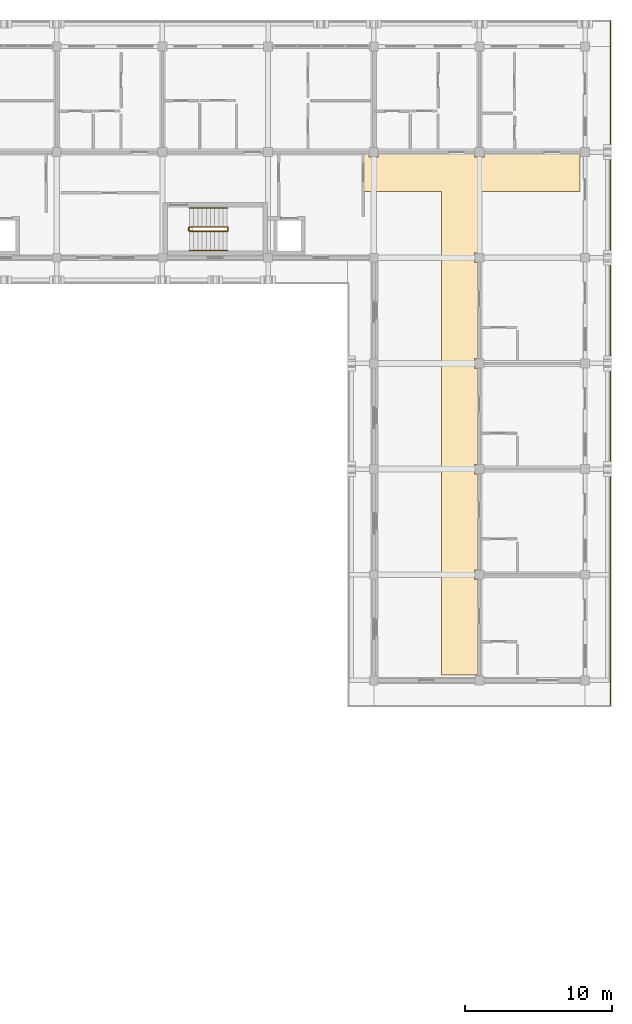
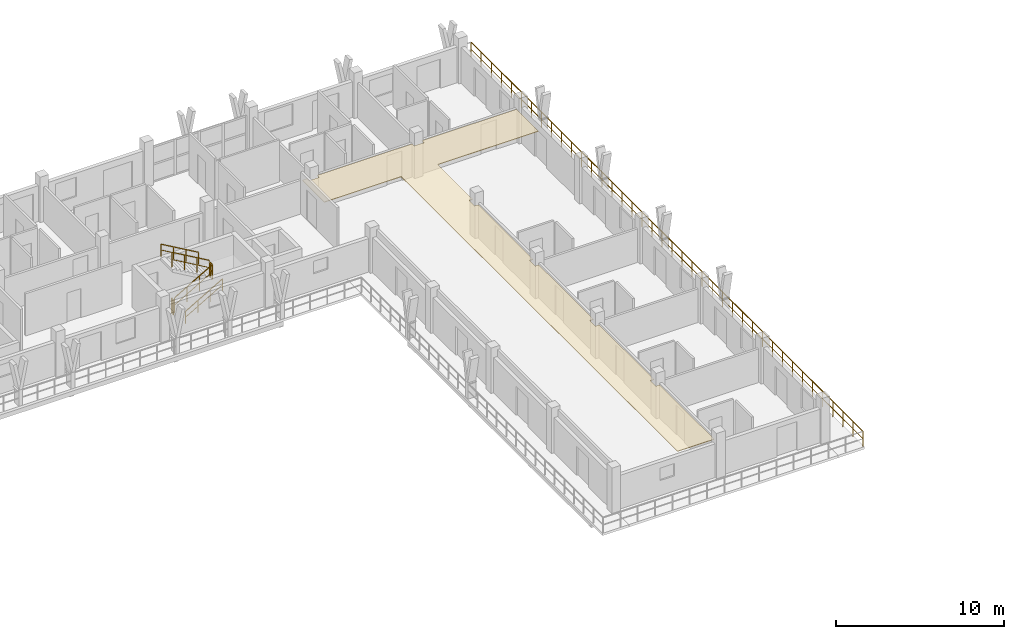
# One storey, part 75 of 75: 7 railings, 1 covering.
"""IFC4 building model written with IfcOpenShell, lengths in metres."""

from ifc_helpers import new_model, si_unit, direction, frame, origin, origin_2d, place, context, subcontext, project, spatial, polyline, rectangle, outline, extrude, material, layer, layer_set, type_object, element, save


model = new_model("IFC4")

# Units and contexts
model_context = context("Model", 3, precision=1e-05, world=origin(), true_north=direction((0.0, 1.0)))
body_context = subcontext(model_context, "Body", "Model", "MODEL_VIEW")
ifc_project = project(units=[si_unit("LENGTHUNIT", "METRE"), si_unit("AREAUNIT", "SQUARE_METRE"), si_unit("VOLUMEUNIT", "CUBIC_METRE"), si_unit("PLANEANGLEUNIT", "RADIAN"), si_unit("MASSUNIT", "GRAM", prefix="KILO")], contexts=[model_context])

# Site, building, storey
site_placement = place(None, origin())
site = spatial("IfcSite", under=ifc_project, at=site_placement, CompositionType="ELEMENT")
building_placement = place(site_placement, origin())
building = spatial("IfcBuilding", under=site, at=building_placement, Name="Suanplinth Sawtooth Commons", CompositionType="ELEMENT")
storey_placement = place(building_placement, frame((0.0, 0.0, 18.60009765625)))
storey = spatial("IfcBuildingStorey", under=building, at=storey_placement, Name="L05", CompositionType="ELEMENT", Elevation=18.60009765625)

# Covering
ifc_material_1 = material(Name="Mineral fibre acoustic tile")
ifc_layer = layer(ifc_material_1, 0.0400390625, Name="Perforated mineral-fibre acoustic suspended ceiling")
ifc_layer_set = layer_set([ifc_layer], Name="Mineral fibre acoustic tile")
covering_type = type_object("IfcCoveringType", Name="CV-CE01", PredefinedType="CEILING", material=ifc_layer_set)
covering_placement = place(storey_placement, frame((0.0, 0.0, 2.3798828125)))
element("IfcCovering", 1, at=covering_placement, inside=storey, type_object=covering_type, Name="L05 Block B Corridor Acoustic Ceiling", PredefinedType="CEILING", context=body_context, shape_type="SweptSolid", body=[
    extrude(outline(polyline([(172.469970703125, 115.1201171875), (172.469970703125, 114.8701171875), (173.1298828125, 114.8701171875), (173.1298828125, 115.1201171875), (179.669921875, 115.1201171875), (179.669921875, 114.8701171875), (180.330078125, 114.8701171875), (180.330078125, 115.1201171875), (186.840087890625, 115.1201171875), (186.840087890625, 112.5), (179.919921875, 112.5), (179.919921875, 108.330078125), (179.669921875, 108.330078125), (179.669921875, 107.669921875), (179.919921875, 107.669921875), (179.919921875, 101.1298828125), (179.669921875, 101.1298828125), (179.669921875, 100.469970703125), (179.919921875, 100.469970703125), (179.919921875, 93.929931640625), (179.669921875, 93.929931640625), (179.669921875, 93.27001953125), (179.919921875, 93.27001953125), (179.919921875, 86.72998046875), (179.669921875, 86.72998046875), (179.669921875, 86.070068359375), (179.919921875, 86.070068359375), (179.919921875, 79.56005859375), (177.39990234375, 79.56005859375), (177.39990234375, 112.5), (172.1201171875, 112.5), (172.1201171875, 115.1201171875), (172.469970703125, 115.1201171875)])), origin(), (0.0, 0.0, 1.0), 0.0400390625),
])

# Railings
ifc_material_2 = material(Name="Powder-coated galvanized steel", Category="steel")
railing_type_1 = type_object("IfcRailingType", Name="GR-01", PredefinedType="BALUSTRADE", material=ifc_material_2)
railing_1_placement = place(storey_placement, frame((188.93994140625, 124.139892578125, 0.0)))
element("IfcRailing", 2, at=railing_1_placement, inside=storey, type_object=railing_type_1, Name="L05 Block B Perimeter Balustrade 5", PredefinedType="BALUSTRADE", context=body_context, shape_type="SweptSolid", body=[
    extrude(rectangle(XDim=0.048095703125, YDim=0.048095703125, at=origin_2d()), frame((0.0, 0.0, 1.09619140625), z_axis=(0.0, -1.0, 0.0), x_axis=(1.0, 0.0, 0.0)), (0.0, 0.0, 1.0), 46.679931640625),
    extrude(rectangle(XDim=0.03369140625, YDim=0.03369140625, at=origin_2d()), frame((0.0, 0.0, 0.56005859375), z_axis=(0.0, -1.0, 0.0), x_axis=(1.0, 0.0, 0.0)), (0.0, 0.0, 1.0), 46.679931640625),
    extrude(rectangle(XDim=0.0419921875, YDim=0.0419921875, at=origin_2d()), origin(), (0.0, 0.0, 1.0), 1.072021484375),
    extrude(rectangle(XDim=0.0419921875, YDim=0.0419921875, at=origin_2d()), frame((0.0, -1.197021484375, 0.0)), (0.0, 0.0, 1.0), 1.072021484375),
    extrude(rectangle(XDim=0.0419921875, YDim=0.0419921875, at=origin_2d()), frame((0.0, -2.393798828125, 0.0)), (0.0, 0.0, 1.0), 1.072021484375),
    extrude(rectangle(XDim=0.0419921875, YDim=0.0419921875, at=origin_2d()), frame((0.0, -3.5908203125, 0.0)), (0.0, 0.0, 1.0), 1.072021484375),
    extrude(rectangle(XDim=0.0419921875, YDim=0.0419921875, at=origin_2d()), frame((0.0, -4.78759765625, 0.0)), (0.0, 0.0, 1.0), 1.072021484375),
    extrude(rectangle(XDim=0.0419921875, YDim=0.0419921875, at=origin_2d()), frame((0.0, -5.984619140625, 0.0)), (0.0, 0.0, 1.0), 1.072021484375),
    extrude(rectangle(XDim=0.0419921875, YDim=0.0419921875, at=origin_2d()), frame((0.0, -7.181640625, 0.0)), (0.0, 0.0, 1.0), 1.072021484375),
    extrude(rectangle(XDim=0.0419921875, YDim=0.0419921875, at=origin_2d()), frame((0.0, -8.37841796875, 0.0)), (0.0, 0.0, 1.0), 1.072021484375),
    extrude(rectangle(XDim=0.0419921875, YDim=0.0419921875, at=origin_2d()), frame((0.0, -9.575439453125, 0.0)), (0.0, 0.0, 1.0), 1.072021484375),
    extrude(rectangle(XDim=0.0419921875, YDim=0.0419921875, at=origin_2d()), frame((0.0, -10.772216796875, 0.0)), (0.0, 0.0, 1.0), 1.072021484375),
    extrude(rectangle(XDim=0.0419921875, YDim=0.0419921875, at=origin_2d()), frame((0.0, -11.96923828125, 0.0)), (0.0, 0.0, 1.0), 1.072021484375),
    extrude(rectangle(XDim=0.0419921875, YDim=0.0419921875, at=origin_2d()), frame((0.0, -13.166015625, 0.0)), (0.0, 0.0, 1.0), 1.072021484375),
    extrude(rectangle(XDim=0.0419921875, YDim=0.0419921875, at=origin_2d()), frame((0.0, -14.363037109375, 0.0)), (0.0, 0.0, 1.0), 1.072021484375),
    extrude(rectangle(XDim=0.0419921875, YDim=0.0419921875, at=origin_2d()), frame((0.0, -15.56005859375, 0.0)), (0.0, 0.0, 1.0), 1.072021484375),
    extrude(rectangle(XDim=0.0419921875, YDim=0.0419921875, at=origin_2d()), frame((0.0, -16.7568359375, 0.0)), (0.0, 0.0, 1.0), 1.072021484375),
    extrude(rectangle(XDim=0.0419921875, YDim=0.0419921875, at=origin_2d()), frame((0.0, -17.953857421875, 0.0)), (0.0, 0.0, 1.0), 1.072021484375),
    extrude(rectangle(XDim=0.0419921875, YDim=0.0419921875, at=origin_2d()), frame((0.0, -19.150634765625, 0.0)), (0.0, 0.0, 1.0), 1.072021484375),
    extrude(rectangle(XDim=0.0419921875, YDim=0.0419921875, at=origin_2d()), frame((0.0, -20.34765625, 0.0)), (0.0, 0.0, 1.0), 1.072021484375),
    extrude(rectangle(XDim=0.0419921875, YDim=0.0419921875, at=origin_2d()), frame((0.0, -21.544677734375, 0.0)), (0.0, 0.0, 1.0), 1.072021484375),
    extrude(rectangle(XDim=0.0419921875, YDim=0.0419921875, at=origin_2d()), frame((0.0, -22.741455078125, 0.0)), (0.0, 0.0, 1.0), 1.072021484375),
    extrude(rectangle(XDim=0.0419921875, YDim=0.0419921875, at=origin_2d()), frame((0.0, -23.9384765625, 0.0)), (0.0, 0.0, 1.0), 1.072021484375),
    extrude(rectangle(XDim=0.0419921875, YDim=0.0419921875, at=origin_2d()), frame((0.0, -25.13525390625, 0.0)), (0.0, 0.0, 1.0), 1.072021484375),
    extrude(rectangle(XDim=0.0419921875, YDim=0.0419921875, at=origin_2d()), frame((0.0, -26.332275390625, 0.0)), (0.0, 0.0, 1.0), 1.072021484375),
    extrude(rectangle(XDim=0.0419921875, YDim=0.0419921875, at=origin_2d()), frame((0.0, -27.529296875, 0.0)), (0.0, 0.0, 1.0), 1.072021484375),
    extrude(rectangle(XDim=0.0419921875, YDim=0.0419921875, at=origin_2d()), frame((0.0, -28.72607421875, 0.0)), (0.0, 0.0, 1.0), 1.072021484375),
    extrude(rectangle(XDim=0.0419921875, YDim=0.0419921875, at=origin_2d()), frame((0.0, -29.923095703125, 0.0)), (0.0, 0.0, 1.0), 1.072021484375),
    extrude(rectangle(XDim=0.0419921875, YDim=0.0419921875, at=origin_2d()), frame((0.0, -31.119873046875, 0.0)), (0.0, 0.0, 1.0), 1.072021484375),
    extrude(rectangle(XDim=0.0419921875, YDim=0.0419921875, at=origin_2d()), frame((0.0, -32.31689453125, 0.0)), (0.0, 0.0, 1.0), 1.072021484375),
    extrude(rectangle(XDim=0.0419921875, YDim=0.0419921875, at=origin_2d()), frame((0.0, -33.513916015625, 0.0)), (0.0, 0.0, 1.0), 1.072021484375),
    extrude(rectangle(XDim=0.0419921875, YDim=0.0419921875, at=origin_2d()), frame((0.0, -34.710693359375, 0.0)), (0.0, 0.0, 1.0), 1.072021484375),
    extrude(rectangle(XDim=0.0419921875, YDim=0.0419921875, at=origin_2d()), frame((0.0, -35.90771484375, 0.0)), (0.0, 0.0, 1.0), 1.072021484375),
    extrude(rectangle(XDim=0.0419921875, YDim=0.0419921875, at=origin_2d()), frame((0.0, -37.1044921875, 0.0)), (0.0, 0.0, 1.0), 1.072021484375),
    extrude(rectangle(XDim=0.0419921875, YDim=0.0419921875, at=origin_2d()), frame((0.0, -38.301513671875, 0.0)), (0.0, 0.0, 1.0), 1.072021484375),
    extrude(rectangle(XDim=0.0419921875, YDim=0.0419921875, at=origin_2d()), frame((0.0, -39.498291015625, 0.0)), (0.0, 0.0, 1.0), 1.072021484375),
    extrude(rectangle(XDim=0.0419921875, YDim=0.0419921875, at=origin_2d()), frame((0.0, -40.6953125, 0.0)), (0.0, 0.0, 1.0), 1.072021484375),
    extrude(rectangle(XDim=0.0419921875, YDim=0.0419921875, at=origin_2d()), frame((0.0, -41.892333984375, 0.0)), (0.0, 0.0, 1.0), 1.072021484375),
    extrude(rectangle(XDim=0.0419921875, YDim=0.0419921875, at=origin_2d()), frame((0.0, -43.089111328125, 0.0)), (0.0, 0.0, 1.0), 1.072021484375),
    extrude(rectangle(XDim=0.0419921875, YDim=0.0419921875, at=origin_2d()), frame((0.0, -44.2861328125, 0.0)), (0.0, 0.0, 1.0), 1.072021484375),
    extrude(rectangle(XDim=0.0419921875, YDim=0.0419921875, at=origin_2d()), frame((0.0, -45.48291015625, 0.0)), (0.0, 0.0, 1.0), 1.072021484375),
    extrude(rectangle(XDim=0.0419921875, YDim=0.0419921875, at=origin_2d()), frame((0.0, -46.679931640625, 0.0)), (0.0, 0.0, 1.0), 1.072021484375),
])
ifc_material_3 = material(Name="Stainless steel Grade 304", Category="steel")
railing_type_2 = type_object("IfcRailingType", Name="GR-04", PredefinedType="GUARDRAIL", material=ifc_material_3)
railing_2_placement = place(storey_placement, frame((160.25, 109.800048828125, 0.164794921875)))
element("IfcRailing", 3, at=railing_2_placement, inside=storey, type_object=railing_type_2, Name="L05 ST-E2 Guard 1", PredefinedType="GUARDRAIL", context=body_context, shape_type="SweptSolid", body=[
    extrude(rectangle(XDim=0.048095703125, YDim=0.048095703125, at=origin_2d()), frame((0.0, 0.0, 1.076171875), z_axis=(0.865405606168, 0.0, 0.501071987656), x_axis=(0.0, 1.0, 0.0)), (0.0, 0.0, 1.0), 2.9638671875),
    extrude(rectangle(XDim=0.03369140625, YDim=0.03369140625, at=origin_2d()), frame((0.0, 0.0, 0.550048828125), z_axis=(0.865405606168, 0.0, 0.501071987656), x_axis=(0.0, 1.0, 0.0)), (0.0, 0.0, 1.0), 2.9638671875),
    extrude(rectangle(XDim=0.0419921875, YDim=0.0419921875, at=origin_2d()), origin(), (0.0, 0.0, 1.0), 1.052001953125),
    extrude(rectangle(XDim=0.0419921875, YDim=0.0419921875, at=origin_2d()), frame((0.85498046875, 0.0, 0.4951171875)), (0.0, 0.0, 1.0), 1.052001953125),
    extrude(rectangle(XDim=0.0419921875, YDim=0.0419921875, at=origin_2d()), frame((1.7099609375, 0.0, 0.989990234375)), (0.0, 0.0, 1.0), 1.052001953125),
    extrude(rectangle(XDim=0.0419921875, YDim=0.0419921875, at=origin_2d()), frame((2.56494140625, 0.0, 1.485107421875)), (0.0, 0.0, 1.0), 1.052001953125),
])
railing_3_placement = place(storey_placement, frame((162.864990234375, 109.85009765625, 1.64990234375)))
element("IfcRailing", 4, at=railing_3_placement, inside=storey, type_object=railing_type_2, Name="L05 ST-E2 Guard 2", PredefinedType="GUARDRAIL", context=body_context, shape_type="SweptSolid", body=[
    extrude(rectangle(XDim=0.048095703125, YDim=0.048095703125, at=origin_2d()), frame((0.0, 0.0, 1.076171875), z_axis=(0.0, 1.0, 0.0), x_axis=(-1.0, 0.0, 0.0)), (0.0, 0.0, 1.0), 0.199951171875),
    extrude(rectangle(XDim=0.03369140625, YDim=0.03369140625, at=origin_2d()), frame((0.0, 0.0, 0.550048828125), z_axis=(0.0, 1.0, 0.0), x_axis=(-1.0, 0.0, 0.0)), (0.0, 0.0, 1.0), 0.199951171875),
    extrude(rectangle(XDim=0.0419921875, YDim=0.0419921875, at=origin_2d()), origin(), (0.0, 0.0, 1.0), 1.052001953125),
    extrude(rectangle(XDim=0.0419921875, YDim=0.0419921875, at=origin_2d()), frame((0.0, 0.199951171875, 0.0)), (0.0, 0.0, 1.0), 1.052001953125),
])
railing_4_placement = place(storey_placement, frame((162.81494140625, 110.10009765625, 1.81494140625)))
element("IfcRailing", 5, at=railing_4_placement, inside=storey, type_object=railing_type_2, Name="L05 ST-E2 Guard 3", PredefinedType="GUARDRAIL", context=body_context, shape_type="SweptSolid", body=[
    extrude(rectangle(XDim=0.048095703125, YDim=0.048095703125, at=origin_2d()), frame((0.0, 0.0, 1.076171875), z_axis=(-0.865441324677, 0.0, 0.50101029285), x_axis=(0.0, -1.0, 0.0)), (0.0, 0.0, 1.0), 2.963623046875),
    extrude(rectangle(XDim=0.03369140625, YDim=0.03369140625, at=origin_2d()), frame((0.0, 0.0, 0.550048828125), z_axis=(-0.865441324677, 0.0, 0.50101029285), x_axis=(0.0, -1.0, 0.0)), (0.0, 0.0, 1.0), 2.963623046875),
    extrude(rectangle(XDim=0.0419921875, YDim=0.0419921875, at=origin_2d()), origin(), (0.0, 0.0, 1.0), 1.052001953125),
    extrude(rectangle(XDim=0.0419921875, YDim=0.0419921875, at=origin_2d()), frame((-0.85498046875, 0.0, 0.494873046875)), (0.0, 0.0, 1.0), 1.052001953125),
    extrude(rectangle(XDim=0.0419921875, YDim=0.0419921875, at=origin_2d()), frame((-1.7099609375, 0.0, 0.989990234375)), (0.0, 0.0, 1.0), 1.052001953125),
    extrude(rectangle(XDim=0.0419921875, YDim=0.0419921875, at=origin_2d()), frame((-2.56494140625, 0.0, 1.48486328125)), (0.0, 0.0, 1.0), 1.052001953125),
])
railing_5_placement = place(storey_placement, frame((160.199951171875, 109.85009765625, 0.0)))
element("IfcRailing", 6, at=railing_5_placement, inside=storey, type_object=railing_type_2, Name="L05 ST-E2 Guard 4", PredefinedType="GUARDRAIL", context=body_context, shape_type="SweptSolid", body=[
    extrude(rectangle(XDim=0.048095703125, YDim=0.048095703125, at=origin_2d()), frame((0.0, 0.0, 1.076171875), z_axis=(0.0, 1.0, 0.0), x_axis=(-1.0, 0.0, 0.0)), (0.0, 0.0, 1.0), 0.199951171875),
    extrude(rectangle(XDim=0.03369140625, YDim=0.03369140625, at=origin_2d()), frame((0.0, 0.0, 0.550048828125), z_axis=(0.0, 1.0, 0.0), x_axis=(-1.0, 0.0, 0.0)), (0.0, 0.0, 1.0), 0.199951171875),
    extrude(rectangle(XDim=0.0419921875, YDim=0.0419921875, at=origin_2d()), origin(), (0.0, 0.0, 1.0), 1.052001953125),
    extrude(rectangle(XDim=0.0419921875, YDim=0.0419921875, at=origin_2d()), frame((0.0, 0.199951171875, 0.0)), (0.0, 0.0, 1.0), 1.052001953125),
])
railing_type_3 = type_object("IfcRailingType", Name="HR-01", PredefinedType="HANDRAIL", material=ifc_material_3)
railing_6_placement = place(storey_placement, frame((160.25, 108.5, 0.164794921875)))
element("IfcRailing", 7, at=railing_6_placement, inside=storey, type_object=railing_type_3, Name="L05 ST-E2 Handrail 1", PredefinedType="HANDRAIL", context=body_context, shape_type="SweptSolid", body=[
    extrude(rectangle(XDim=0.048095703125, YDim=0.048095703125, at=origin_2d()), frame((0.0, 0.0, 0.8759765625), z_axis=(0.865405606168, 0.0, 0.501071987656), x_axis=(0.0, 1.0, 0.0)), (0.0, 0.0, 1.0), 2.9638671875),
    extrude(rectangle(XDim=0.03369140625, YDim=0.03369140625, at=origin_2d()), frame((0.0, 0.0, 0.449951171875), z_axis=(0.865405606168, 0.0, 0.501071987656), x_axis=(0.0, 1.0, 0.0)), (0.0, 0.0, 1.0), 2.9638671875),
    extrude(rectangle(XDim=0.0419921875, YDim=0.0419921875, at=origin_2d()), origin(), (0.0, 0.0, 1.0), 0.851806640625),
    extrude(rectangle(XDim=0.0419921875, YDim=0.0419921875, at=origin_2d()), frame((0.85498046875, 0.0, 0.4951171875)), (0.0, 0.0, 1.0), 0.851806640625),
    extrude(rectangle(XDim=0.0419921875, YDim=0.0419921875, at=origin_2d()), frame((1.7099609375, 0.0, 0.989990234375)), (0.0, 0.0, 1.0), 0.851806640625),
    extrude(rectangle(XDim=0.0419921875, YDim=0.0419921875, at=origin_2d()), frame((2.56494140625, 0.0, 1.485107421875)), (0.0, 0.0, 1.0), 0.851806640625),
])
railing_7_placement = place(storey_placement, frame((162.81494140625, 111.39990234375, 1.81494140625)))
element("IfcRailing", 8, at=railing_7_placement, inside=storey, type_object=railing_type_3, Name="L05 ST-E2 Handrail 2", PredefinedType="HANDRAIL", context=body_context, shape_type="SweptSolid", body=[
    extrude(rectangle(XDim=0.048095703125, YDim=0.048095703125, at=origin_2d()), frame((0.0, 0.0, 0.8759765625), z_axis=(-0.865441324677, 0.0, 0.50101029285), x_axis=(0.0, -1.0, 0.0)), (0.0, 0.0, 1.0), 2.963623046875),
    extrude(rectangle(XDim=0.03369140625, YDim=0.03369140625, at=origin_2d()), frame((0.0, 0.0, 0.449951171875), z_axis=(-0.865441324677, 0.0, 0.50101029285), x_axis=(0.0, -1.0, 0.0)), (0.0, 0.0, 1.0), 2.963623046875),
    extrude(rectangle(XDim=0.0419921875, YDim=0.0419921875, at=origin_2d()), origin(), (0.0, 0.0, 1.0), 0.851806640625),
    extrude(rectangle(XDim=0.0419921875, YDim=0.0419921875, at=origin_2d()), frame((-0.85498046875, 0.0, 0.494873046875)), (0.0, 0.0, 1.0), 0.851806640625),
    extrude(rectangle(XDim=0.0419921875, YDim=0.0419921875, at=origin_2d()), frame((-1.7099609375, 0.0, 0.989990234375)), (0.0, 0.0, 1.0), 0.851806640625),
    extrude(rectangle(XDim=0.0419921875, YDim=0.0419921875, at=origin_2d()), frame((-2.56494140625, 0.0, 1.48486328125)), (0.0, 0.0, 1.0), 0.851806640625),
])

save(model, "model.ifc")
